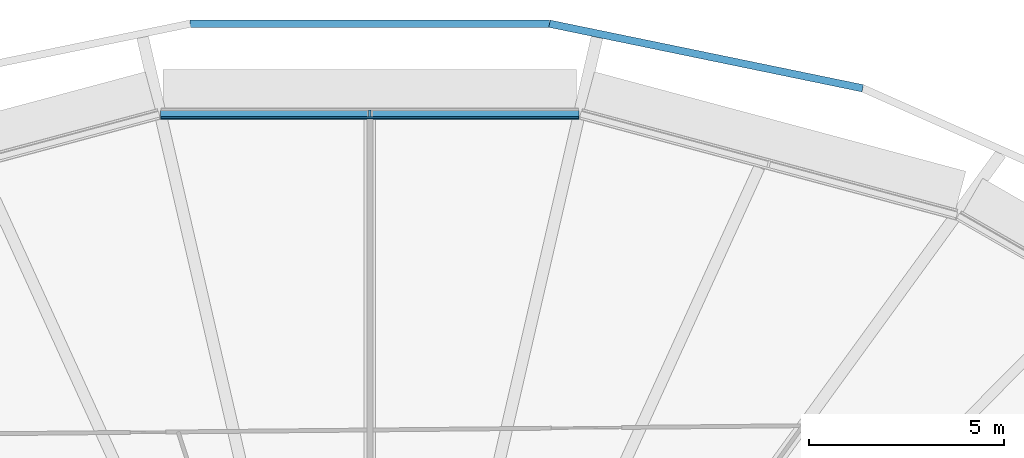
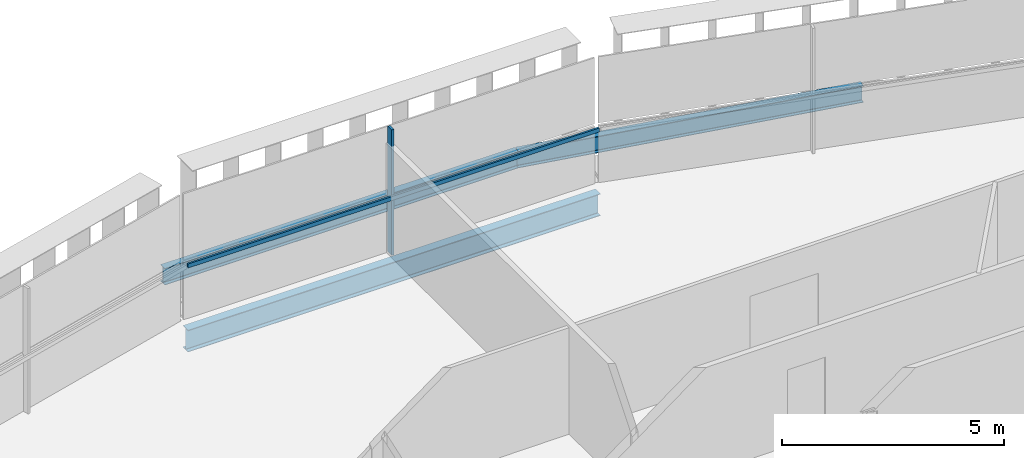
# One storey, part 8 of 23: 3 beams, 2 members, 1 element without a shape of its own.
"""IFC4 building model written with IfcOpenShell, lengths in metres."""

from ifc_helpers import new_model, si_unit, direction, frame, origin, origin_2d, place, context, subcontext, project, spatial, rectangle, i_section, extrude, material, layer, layer_set, material_profile, profile_set, type_object, element, aggregate, save


model = new_model("IFC4")

# Units and contexts
model_context = context("Model", 3, precision=1e-05, world=origin(), true_north=direction((0.0, 1.0)))
body_context = subcontext(model_context, "Body", "Model", "MODEL_VIEW")
ifc_project = project(units=[si_unit("LENGTHUNIT", "METRE"), si_unit("AREAUNIT", "SQUARE_METRE"), si_unit("VOLUMEUNIT", "CUBIC_METRE"), si_unit("PLANEANGLEUNIT", "RADIAN"), si_unit("MASSUNIT", "GRAM", prefix="KILO")], contexts=[model_context])

# Site, building, storey
site_placement = place(None, origin())
site = spatial("IfcSite", under=ifc_project, at=site_placement, CompositionType="ELEMENT")
building_placement = place(site_placement, origin())
building = spatial("IfcBuilding", under=site, at=building_placement, Name="Sahrelin Media Tower", CompositionType="ELEMENT")
storey_placement = place(building_placement, frame((0.0, 0.0, 173.60009765625)))
storey = spatial("IfcBuildingStorey", under=building, at=storey_placement, Name="L36", CompositionType="ELEMENT", Elevation=173.60009765625)

# Beam
ifc_material_1 = material(Name="Steel S355", Category="steel")
ifc_material_profile_1 = material_profile(ifc_material_1, i_section(OverallWidth=0.2275390625, OverallDepth=0.6025390625, WebThickness=0.010498046875, FlangeThickness=0.014892578125, FilletRadius=0.0126953125, at=origin_2d()), Name="UB 610x229x101")
ifc_profile_set_1 = profile_set([ifc_material_profile_1], Name="Steel S355")
beam_type_1 = type_object("IfcBeamType", Name="Edge beam EB7", PredefinedType="BEAM", material=ifc_profile_set_1)
beam_1_placement = place(storey_placement, frame((-5.359619140625, 23.226318359375, -0.451416015625), z_axis=(1.0, 0.0, 0.0), x_axis=(0.0, 1.0, 0.0)))
element("IfcBeam", 1, at=beam_1_placement, inside=storey, type_object=beam_type_1, Name="Edge beam L36-15", PredefinedType="BEAM", context=body_context, shape_type="SweptSolid", body=[
    extrude(i_section(OverallWidth=0.2275390625, OverallDepth=0.6025390625, WebThickness=0.010498046875, FlangeThickness=0.014892578125, FilletRadius=0.0126953125, at=origin_2d()), origin(), (0.0, 0.0, 1.0), 10.71923828125),
])

# Curtain wall, member
ifc_material_2 = material(Name="Champagne anodised aluminium 6063-T6", Category="aluminium")
ifc_layer = layer(ifc_material_2, 0.14990234375)
ifc_layer_set = layer_set([ifc_layer], Name="Tower ribbon curtain wall")
curtain_wall_type = type_object("IfcCurtainWallType", Name="Tower ribbon curtain wall", PredefinedType="NOTDEFINED", material=ifc_layer_set)
curtain_wall_placement = place(storey_placement, frame((0.0, 23.37646484375, 0.0), z_axis=(0.0, 0.0, 1.0), x_axis=(1.0, 0.0, 0.0)))
curtain_wall = element("IfcCurtainWall", 2, at=curtain_wall_placement, inside=storey, type_object=curtain_wall_type, Name="L36:CW:L36-06", PredefinedType="NOTDEFINED")
ifc_material_profile_2 = material_profile(ifc_material_2, rectangle(XDim=0.06005859375, YDim=0.175048828125, at=origin_2d()), Name="Mullion 60x175")
ifc_profile_set_2 = profile_set([ifc_material_profile_2], Name="Champagne anodised aluminium 6063-T6")
member_type_1 = type_object("IfcMemberType", Name="Mullion 60x175 CW1B", PredefinedType="MULLION", material=ifc_profile_set_2)
member_1_placement = place(storey_placement, frame((0.0, 23.268798828125, 0.0), z_axis=(0.0, 0.0, 1.0), x_axis=(-1.0, 0.0, 0.0)))
member_1 = element("IfcMember", 3, at=member_1_placement, type_object=member_type_1, Name="L36:CWM:L36-06", PredefinedType="MULLION", context=body_context, shape_type="SweptSolid", body=[
    extrude(rectangle(XDim=0.06005859375, YDim=0.175048828125, at=origin_2d()), origin(), (0.0, 0.0, 1.0), 3.448486328125),
])

# Beams
ifc_material_profile_3 = material_profile(ifc_material_1, i_section(OverallWidth=0.1904296875, OverallDepth=0.45703125, WebThickness=0.009033203125, FlangeThickness=0.014404296875, FilletRadius=0.01025390625, at=origin_2d()), Name="UB 457x191x74")
ifc_profile_set_3 = profile_set([ifc_material_profile_3], Name="Steel S355")
beam_type_2 = type_object("IfcBeamType", Name="Tie chord TC5", PredefinedType="BEAM", material=ifc_profile_set_3)
beam_2_placement = place(storey_placement, frame((12.62353515625, 23.912841796875, -0.378662109375), z_axis=(-0.979391540404, 0.201970816172, 0.0), x_axis=(-0.201970816172, -0.979391540404, 0.0)))
element("IfcBeam", 4, at=beam_2_placement, inside=storey, type_object=beam_type_2, Name="Tie chord L36-05", PredefinedType="BEAM", context=body_context, shape_type="SweptSolid", body=[
    extrude(i_section(OverallWidth=0.1904296875, OverallDepth=0.45703125, WebThickness=0.009033203125, FlangeThickness=0.014404296875, FilletRadius=0.01025390625, at=origin_2d()), origin(), (0.0, 0.0, 1.0), 8.190673828125),
])
beam_3_placement = place(storey_placement, frame((4.6015625, 25.567138671875, -0.378662109375), z_axis=(-1.0, 0.0, 0.0), x_axis=(0.0, -1.0, 0.0)))
element("IfcBeam", 5, at=beam_3_placement, inside=storey, type_object=beam_type_2, Name="Tie chord L36-06", PredefinedType="BEAM", context=body_context, shape_type="SweptSolid", body=[
    extrude(i_section(OverallWidth=0.1904296875, OverallDepth=0.45703125, WebThickness=0.009033203125, FlangeThickness=0.014404296875, FilletRadius=0.01025390625, at=origin_2d()), origin(), (0.0, 0.0, 1.0), 9.203125),
])

# Member
ifc_material_profile_4 = material_profile(ifc_material_2, rectangle(XDim=0.050048828125, YDim=0.110107421875, at=origin_2d()), Name="Transom 50x110")
ifc_profile_set_4 = profile_set([ifc_material_profile_4], Name="Champagne anodised aluminium 6063-T6")
member_type_2 = type_object("IfcMemberType", Name="Transom 50x110 CW1B", PredefinedType="USERDEFINED", material=ifc_profile_set_4)
member_2_placement = place(storey_placement, frame((5.343994140625, 23.156494140625, 1.599853515625), z_axis=(-1.0, 0.0, 0.0), x_axis=(0.0, -1.0, 0.0)))
member_2 = element("IfcMember", 6, at=member_2_placement, type_object=member_type_2, Name="L36:CWT:L36-06", ObjectType="TRANSOM", PredefinedType="USERDEFINED", context=body_context, shape_type="SweptSolid", body=[
    extrude(rectangle(XDim=0.050048828125, YDim=0.110107421875, at=origin_2d()), origin(), (0.0, 0.0, 1.0), 10.68798828125),
])

aggregate(curtain_wall, [member_1, member_2])

save(model, "model.ifc")
